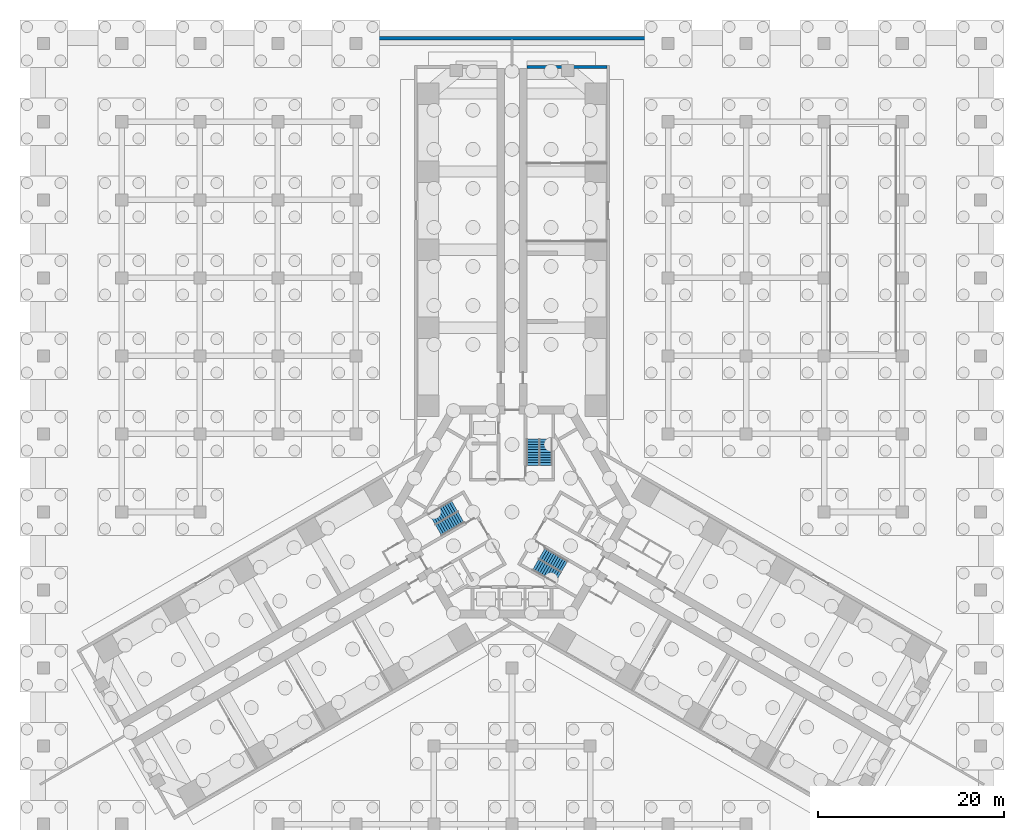
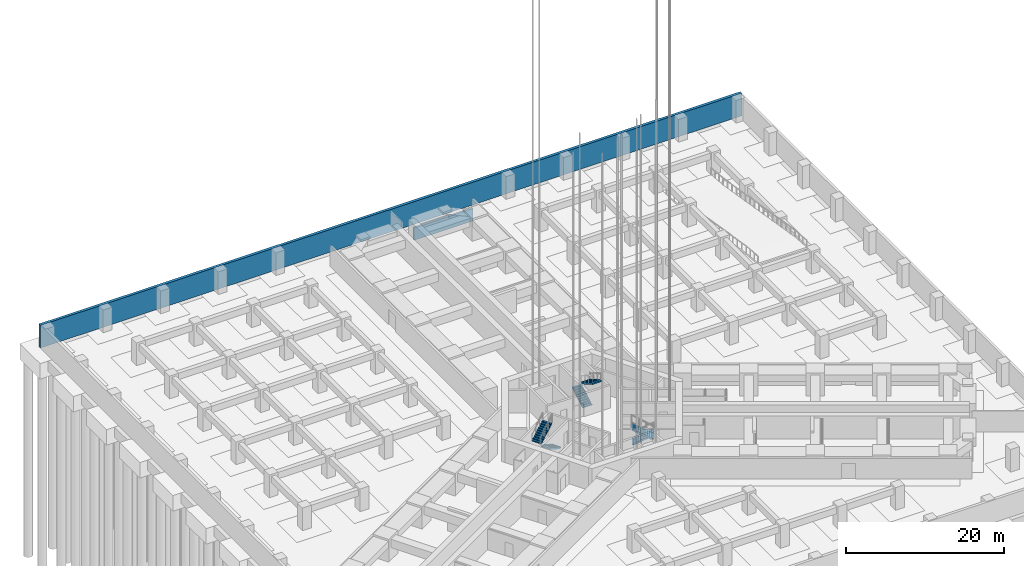
# One storey, part 59 of 73: 6 stair flights, 2 walls, 3 elements without a shape of their own.
"""IFC4 building model written with IfcOpenShell, lengths in metres."""

from ifc_helpers import new_model, si_unit, direction, frame, frame_2d, origin, place, context, subcontext, project, spatial, polyline, rectangle, outline, extrude, material, layer, layer_set, type_object, element, aggregate, save


model = new_model("IFC4")

# Units and contexts
model_context = context("Model", 3, precision=1e-05, world=origin(), true_north=direction((0.0, 1.0)))
body_context = subcontext(model_context, "Body", "Model", "MODEL_VIEW")
ifc_project = project(units=[si_unit("LENGTHUNIT", "METRE"), si_unit("AREAUNIT", "SQUARE_METRE"), si_unit("VOLUMEUNIT", "CUBIC_METRE"), si_unit("PLANEANGLEUNIT", "RADIAN"), si_unit("MASSUNIT", "GRAM", prefix="KILO")], contexts=[model_context])

# Site, building, storey
site_placement = place(None, origin())
site = spatial("IfcSite", under=ifc_project, at=site_placement, CompositionType="ELEMENT")
building_placement = place(site_placement, origin())
building = spatial("IfcBuilding", under=site, at=building_placement, Name="Impinga Residences", CompositionType="ELEMENT")
storey_placement = place(building_placement, frame((0.0, 0.0, -10.5)))
storey = spatial("IfcBuildingStorey", under=building, at=storey_placement, Name="B3", CompositionType="ELEMENT", Elevation=-10.5)

# Walls
ifc_material_1 = material(Name="Concrete blockwork", Category="masonry")
ifc_layer_1 = layer(ifc_material_1, 0.300048828125)
ifc_layer_set_1 = layer_set([ifc_layer_1], Name="PW3 podium wall on the wing face 300")
wall_type_1 = type_object("IfcWallType", Name="PW3 podium wall on the wing face 300", PredefinedType="SOLIDWALL", material=ifc_layer_set_1)
wall_1_placement = place(storey_placement, frame((1.60009765625, 47.881591796875, 0.0), z_axis=(0.0, 0.0, 1.0), x_axis=(1.0, 0.0, 0.0)))
element("IfcWall", 1, at=wall_1_placement, inside=storey, type_object=wall_type_1, Name="Podium wall on the wing face B3:END:NF", PredefinedType="SOLIDWALL", context=body_context, shape_type="SweptSolid", body=[
    extrude(rectangle(XDim=8.599853515625, YDim=0.300048828125, at=frame_2d((4.2998046875, 0.0))), origin(), (0.0, 0.0, 1.0), 1.89990234375),
])
ifc_material_2 = material(Name="Concrete C60/75", Category="concrete")
ifc_layer_2 = layer(ifc_material_2, 0.39990234375)
ifc_layer_set_2 = layer_set([ifc_layer_2], Name="Concrete C60/75")
wall_type_2 = type_object("IfcWallType", Name="RW1 basement retaining wall 400", PredefinedType="USERDEFINED", material=ifc_layer_set_2)
wall_2_placement = place(storey_placement, frame((-51.199951171875, 51.0, 0.0), z_axis=(0.0, 0.0, 1.0), x_axis=(1.0, 0.0, 0.0)))
element("IfcWall", 2, at=wall_2_placement, inside=storey, type_object=wall_type_2, Name="Retaining wall RW1 N B3", ObjectType="RETAINING WALL", PredefinedType="USERDEFINED", context=body_context, shape_type="SweptSolid", body=[
    extrude(rectangle(XDim=102.39990234375, YDim=0.39990234375, at=frame_2d((51.199951171875, 0.0))), origin(), (0.0, 0.0, 1.0), 3.5),
])

# Stair, stair flights
ifc_material_3 = material(Name="Concrete C40/50", Category="concrete")
stair_type = type_object("IfcStairType", Name="STR core stair 3500 storey, 22 risers", PredefinedType="HALF_TURN_STAIR", material=ifc_material_3)
stair_1_placement = place(storey_placement, origin())
stair_1 = element("IfcStair", 3, at=stair_1_placement, inside=storey, type_object=stair_type, Name="Stair ST1 B3", PredefinedType="HALF_TURN_STAIR")
stair_flight_type = type_object("IfcStairFlightType", Name="SF 11 risers of 159", PredefinedType="STRAIGHT", material=ifc_material_3)
stair_flight_1_placement = place(storey_placement, frame((2.27490234375, 5.030029296875, 0.0), z_axis=(0.0, 0.0, 1.0), x_axis=(0.0, 1.0, 0.0)))
stair_flight_1 = element("IfcStairFlight", 4, at=stair_flight_1_placement, type_object=stair_flight_type, Name="ST1 flight 1", NumberOfRisers=11, NumberOfTreads=10, PredefinedType="STRAIGHT", RiserHeight=0.159090909, TreadLength=0.28, context=body_context, shape_type="SweptSolid", body=[
    extrude(outline(polyline([(0.0, 0.0), (0.0, 0.1591796875), (0.280029296875, 0.1591796875), (0.280029296875, 0.318115234375), (0.56005859375, 0.318115234375), (0.56005859375, 0.477294921875), (0.840087890625, 0.477294921875), (0.840087890625, 0.636474609375), (1.1201171875, 0.636474609375), (1.1201171875, 0.79541015625), (1.39990234375, 0.79541015625), (1.39990234375, 0.95458984375), (1.679931640625, 0.95458984375), (1.679931640625, 1.113525390625), (1.9599609375, 1.113525390625), (1.9599609375, 1.272705078125), (2.239990234375, 1.272705078125), (2.239990234375, 1.431884765625), (2.52001953125, 1.431884765625), (2.52001953125, 1.5908203125), (2.800048828125, 1.5908203125), (2.800048828125, 1.75), (2.800048828125, 1.384033203125), (0.3642578125, 0.0), (0.0, 0.0)])), frame((0.0, 0.675048828125, 0.0), z_axis=(0.0, -1.0, 0.0), x_axis=(1.0, 0.0, 0.0)), (0.0, 0.0, 1.0), 1.35009765625),
])
stair_flight_2_placement = place(storey_placement, frame((3.625, 7.830078125, 1.75), z_axis=(0.0, 0.0, 1.0), x_axis=(0.0, -1.0, 0.0)))
stair_flight_2 = element("IfcStairFlight", 5, at=stair_flight_2_placement, type_object=stair_flight_type, Name="ST1 flight 2", NumberOfRisers=11, NumberOfTreads=10, PredefinedType="STRAIGHT", RiserHeight=0.159090909, TreadLength=0.28, context=body_context, shape_type="SweptSolid", body=[
    extrude(outline(polyline([(0.0, 0.0), (0.0, 0.1591796875), (0.280029296875, 0.1591796875), (0.280029296875, 0.318115234375), (0.56005859375, 0.318115234375), (0.56005859375, 0.477294921875), (0.840087890625, 0.477294921875), (0.840087890625, 0.636474609375), (1.1201171875, 0.636474609375), (1.1201171875, 0.79541015625), (1.39990234375, 0.79541015625), (1.39990234375, 0.95458984375), (1.679931640625, 0.95458984375), (1.679931640625, 1.113525390625), (1.9599609375, 1.113525390625), (1.9599609375, 1.272705078125), (2.239990234375, 1.272705078125), (2.239990234375, 1.431884765625), (2.52001953125, 1.431884765625), (2.52001953125, 1.5908203125), (2.800048828125, 1.5908203125), (2.800048828125, 1.75), (2.800048828125, 1.384033203125), (0.3642578125, 0.0), (0.0, 0.0)])), frame((0.0, 0.675048828125, 0.0), z_axis=(0.0, -1.0, 0.0), x_axis=(1.0, 0.0, 0.0)), (0.0, 0.0, 1.0), 1.35009765625),
])
aggregate(stair_1, [stair_flight_1, stair_flight_2])

stair_2_placement = place(storey_placement, origin())
stair_2 = element("IfcStair", 6, at=stair_2_placement, inside=storey, type_object=stair_type, Name="Stair ST2 B3", PredefinedType="HALF_TURN_STAIR")
stair_flight_3_placement = place(storey_placement, frame((-5.49365234375, -0.544677734375, 0.0), z_axis=(0.0, 0.0, 1.0), x_axis=(-0.866025403784, -0.5, 0.0)))
stair_flight_3 = element("IfcStairFlight", 7, at=stair_flight_3_placement, type_object=stair_flight_type, Name="ST2 flight 1", NumberOfRisers=11, NumberOfTreads=10, PredefinedType="STRAIGHT", RiserHeight=0.159090909, TreadLength=0.28, context=body_context, shape_type="SweptSolid", body=[
    extrude(outline(polyline([(0.0, 0.0), (0.0, 0.1591796875), (0.280029296875, 0.1591796875), (0.280029296875, 0.318115234375), (0.56005859375, 0.318115234375), (0.56005859375, 0.477294921875), (0.840087890625, 0.477294921875), (0.840087890625, 0.636474609375), (1.1201171875, 0.636474609375), (1.1201171875, 0.79541015625), (1.39990234375, 0.79541015625), (1.39990234375, 0.95458984375), (1.679931640625, 0.95458984375), (1.679931640625, 1.113525390625), (1.9599609375, 1.113525390625), (1.9599609375, 1.272705078125), (2.239990234375, 1.272705078125), (2.239990234375, 1.431884765625), (2.52001953125, 1.431884765625), (2.52001953125, 1.5908203125), (2.800048828125, 1.5908203125), (2.800048828125, 1.75), (2.800048828125, 1.384033203125), (0.3642578125, 0.0), (0.0, 0.0)])), frame((0.0, 0.675048828125, 0.0), z_axis=(0.0, -1.0, 0.0), x_axis=(1.0, 0.0, 0.0)), (0.0, 0.0, 1.0), 1.35009765625),
])
stair_flight_4_placement = place(storey_placement, frame((-8.593505859375, -0.775634765625, 1.75), z_axis=(0.0, 0.0, 1.0), x_axis=(0.866025403784, 0.5, 0.0)))
stair_flight_4 = element("IfcStairFlight", 8, at=stair_flight_4_placement, type_object=stair_flight_type, Name="ST2 flight 2", NumberOfRisers=11, NumberOfTreads=10, PredefinedType="STRAIGHT", RiserHeight=0.159090909, TreadLength=0.28, context=body_context, shape_type="SweptSolid", body=[
    extrude(outline(polyline([(0.0, 0.0), (0.0, 0.1591796875), (0.280029296875, 0.1591796875), (0.280029296875, 0.318115234375), (0.56005859375, 0.318115234375), (0.56005859375, 0.477294921875), (0.840087890625, 0.477294921875), (0.840087890625, 0.636474609375), (1.1201171875, 0.636474609375), (1.1201171875, 0.79541015625), (1.39990234375, 0.79541015625), (1.39990234375, 0.95458984375), (1.679931640625, 0.95458984375), (1.679931640625, 1.113525390625), (1.9599609375, 1.113525390625), (1.9599609375, 1.272705078125), (2.239990234375, 1.272705078125), (2.239990234375, 1.431884765625), (2.52001953125, 1.431884765625), (2.52001953125, 1.5908203125), (2.800048828125, 1.5908203125), (2.800048828125, 1.75), (2.800048828125, 1.384033203125), (0.3642578125, 0.0), (0.0, 0.0)])), frame((0.0, 0.675048828125, 0.0), z_axis=(0.0, -1.0, 0.0), x_axis=(1.0, 0.0, 0.0)), (0.0, 0.0, 1.0), 1.35009765625),
])
aggregate(stair_2, [stair_flight_3, stair_flight_4])

stair_3_placement = place(storey_placement, origin())
stair_3 = element("IfcStair", 9, at=stair_3_placement, inside=storey, type_object=stair_type, Name="Stair ST3 B3", PredefinedType="HALF_TURN_STAIR")
stair_flight_5_placement = place(storey_placement, frame((3.218505859375, -4.485107421875, 0.0), z_axis=(0.0, 0.0, 1.0), x_axis=(0.866025403784, -0.5, 0.0)))
stair_flight_5 = element("IfcStairFlight", 10, at=stair_flight_5_placement, type_object=stair_flight_type, Name="ST3 flight 1", NumberOfRisers=11, NumberOfTreads=10, PredefinedType="STRAIGHT", RiserHeight=0.159090909, TreadLength=0.28, context=body_context, shape_type="SweptSolid", body=[
    extrude(outline(polyline([(0.0, 0.0), (0.0, 0.1591796875), (0.280029296875, 0.1591796875), (0.280029296875, 0.318115234375), (0.56005859375, 0.318115234375), (0.56005859375, 0.477294921875), (0.840087890625, 0.477294921875), (0.840087890625, 0.636474609375), (1.1201171875, 0.636474609375), (1.1201171875, 0.79541015625), (1.39990234375, 0.79541015625), (1.39990234375, 0.95458984375), (1.679931640625, 0.95458984375), (1.679931640625, 1.113525390625), (1.9599609375, 1.113525390625), (1.9599609375, 1.272705078125), (2.239990234375, 1.272705078125), (2.239990234375, 1.431884765625), (2.52001953125, 1.431884765625), (2.52001953125, 1.5908203125), (2.800048828125, 1.5908203125), (2.800048828125, 1.75), (2.800048828125, 1.384033203125), (0.3642578125, 0.0), (0.0, 0.0)])), frame((0.0, 0.675048828125, 0.0), z_axis=(0.0, -1.0, 0.0), x_axis=(1.0, 0.0, 0.0)), (0.0, 0.0, 1.0), 1.35009765625),
])
stair_flight_6_placement = place(storey_placement, frame((4.968505859375, -7.054443359375, 1.75), z_axis=(0.0, 0.0, 1.0), x_axis=(-0.866025403784, 0.5, 0.0)))
stair_flight_6 = element("IfcStairFlight", 11, at=stair_flight_6_placement, type_object=stair_flight_type, Name="ST3 flight 2", NumberOfRisers=11, NumberOfTreads=10, PredefinedType="STRAIGHT", RiserHeight=0.159090909, TreadLength=0.28, context=body_context, shape_type="SweptSolid", body=[
    extrude(outline(polyline([(0.0, 0.0), (0.0, 0.1591796875), (0.280029296875, 0.1591796875), (0.280029296875, 0.318115234375), (0.56005859375, 0.318115234375), (0.56005859375, 0.477294921875), (0.840087890625, 0.477294921875), (0.840087890625, 0.636474609375), (1.1201171875, 0.636474609375), (1.1201171875, 0.79541015625), (1.39990234375, 0.79541015625), (1.39990234375, 0.95458984375), (1.679931640625, 0.95458984375), (1.679931640625, 1.113525390625), (1.9599609375, 1.113525390625), (1.9599609375, 1.272705078125), (2.239990234375, 1.272705078125), (2.239990234375, 1.431884765625), (2.52001953125, 1.431884765625), (2.52001953125, 1.5908203125), (2.800048828125, 1.5908203125), (2.800048828125, 1.75), (2.800048828125, 1.384033203125), (0.3642578125, 0.0), (0.0, 0.0)])), frame((0.0, 0.675048828125, 0.0), z_axis=(0.0, -1.0, 0.0), x_axis=(1.0, 0.0, 0.0)), (0.0, 0.0, 1.0), 1.35009765625),
])
aggregate(stair_3, [stair_flight_5, stair_flight_6])

save(model, "model.ifc")
